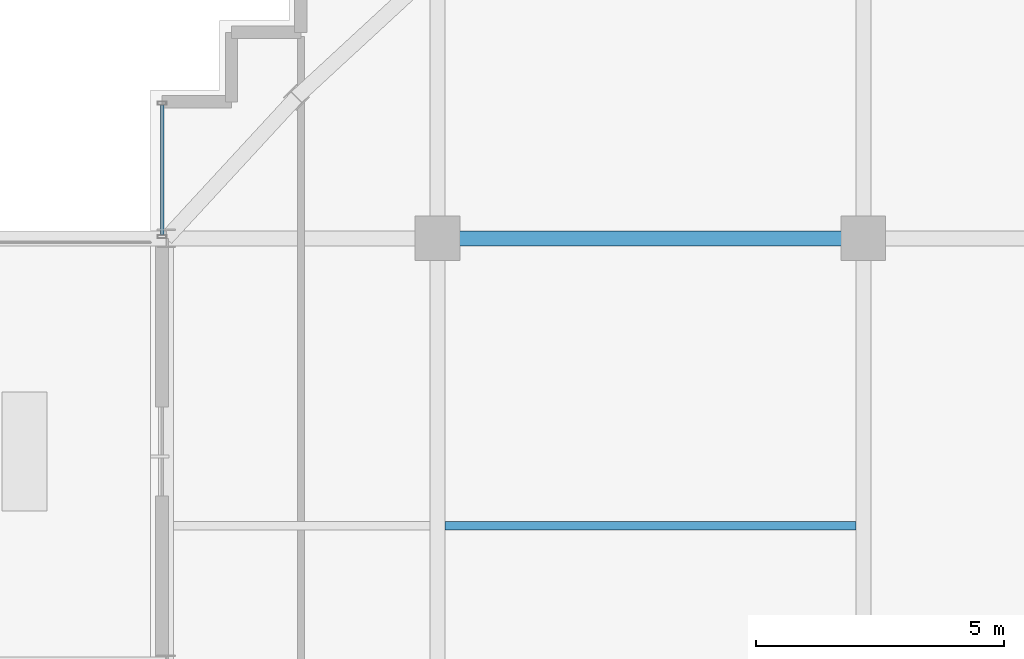
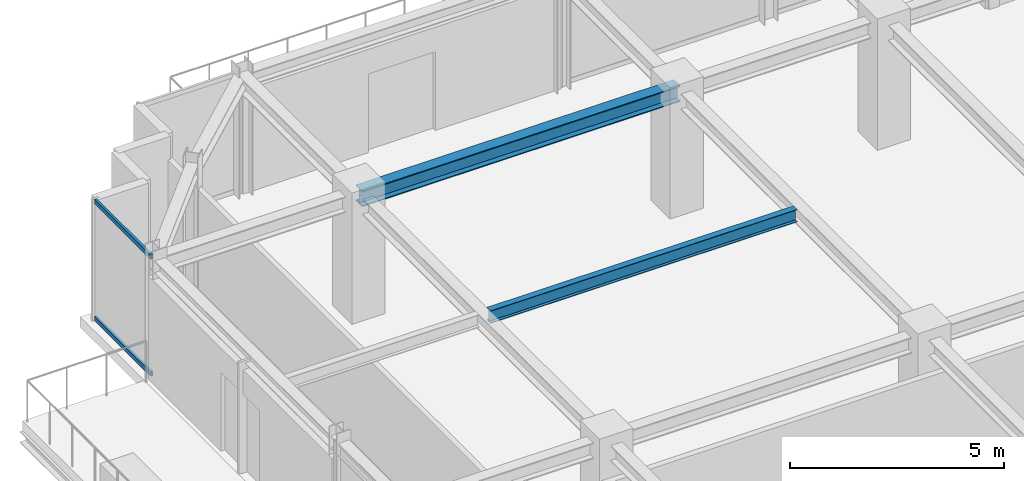
# One storey, part 18 of 34: 2 beams, 2 members, 1 element without a shape of its own.
"""IFC4 building model written with IfcOpenShell, lengths in metres."""

from ifc_helpers import new_model, si_unit, direction, frame, origin, origin_2d, place, context, subcontext, project, spatial, hollow_rectangle, i_section, extrude, source, transform, mapped, material, material_profile, profile_set, type_object, element, aggregate, save


model = new_model("IFC4")

# Units and contexts
model_context = context("Model", 3, precision=1e-05, world=origin(), true_north=direction((0.0, 1.0)))
body_context = subcontext(model_context, "Body", "Model", "MODEL_VIEW")
ifc_project = project(units=[si_unit("LENGTHUNIT", "METRE"), si_unit("AREAUNIT", "SQUARE_METRE"), si_unit("VOLUMEUNIT", "CUBIC_METRE"), si_unit("PLANEANGLEUNIT", "RADIAN"), si_unit("MASSUNIT", "GRAM", prefix="KILO")], contexts=[model_context])

# Site, building, storey
site_placement = place(None, origin())
site = spatial("IfcSite", under=ifc_project, at=site_placement, CompositionType="ELEMENT")
building_placement = place(site_placement, origin())
building = spatial("IfcBuilding", under=site, at=building_placement, Name="Nahalor Promenade Grand Hotel", CompositionType="ELEMENT")
storey_placement = place(building_placement, frame((0.0, 0.0, 334.75)))
storey = spatial("IfcBuildingStorey", under=building, at=storey_placement, Name="L86", CompositionType="ELEMENT", Elevation=334.75)

# Beams
ifc_material_1 = material(Name="Steel S355JR", Category="steel")
ifc_material_profile_1 = material_profile(ifc_material_1, i_section(OverallWidth=0.3, OverallDepth=0.45, WebThickness=0.014, FlangeThickness=0.026, at=origin_2d()), Name="HEB 450")
ifc_profile_set_1 = profile_set([ifc_material_profile_1], Name="Steel S355JR")
beam_type_1 = type_object("IfcBeamType", Name="Beam-Girder-HEB450", PredefinedType="BEAM", material=ifc_profile_set_1)
shared_shape_1 = source(origin(), body_context, "Body", "SweptSolid", [
    extrude(i_section(OverallWidth=0.3, OverallDepth=0.45, WebThickness=0.014, FlangeThickness=0.026, at=origin_2d()), origin(), (0.0, 0.0, 1.0), 8.60009765625),
])
beam_1_placement = place(storey_placement, frame((-17.0, 17.0, 3.2451171875), z_axis=(1.0, 0.0, 0.0), x_axis=(0.0, 1.0, 0.0)))
element("IfcBeam", 1, at=beam_1_placement, inside=storey, type_object=beam_type_1, Name="BM-L86-GX-3-1", PredefinedType="BEAM", context=body_context, shape_type="MappedRepresentation", body=[
    mapped(shared_shape_1, transform((0.0, 0.0, 0.0), scale=1.0)),
])
ifc_material_profile_2 = material_profile(ifc_material_1, i_section(OverallWidth=0.17, OverallDepth=0.36, WebThickness=0.008, FlangeThickness=0.0127, at=origin_2d()), Name="IPE 360")
ifc_profile_set_2 = profile_set([ifc_material_profile_2], Name="Steel S355JR")
beam_type_2 = type_object("IfcBeamType", Name="Beam-Joist-IPE360", PredefinedType="JOIST", material=ifc_profile_set_2)
shared_shape_2 = source(origin(), body_context, "Body", "SweptSolid", [
    extrude(i_section(OverallWidth=0.17, OverallDepth=0.36, WebThickness=0.008, FlangeThickness=0.0127, at=origin_2d()), origin(), (0.0, 0.0, 1.0), 8.300048828125),
])
beam_2_placement = place(storey_placement, frame((-16.85009765625, 11.199951171875, 3.2900390625), z_axis=(1.0, 0.0, 0.0), x_axis=(0.0, 1.0, 0.0)))
element("IfcBeam", 2, at=beam_2_placement, inside=storey, type_object=beam_type_2, Name="BM-L86-JSW-1-1", PredefinedType="JOIST", context=body_context, shape_type="MappedRepresentation", body=[
    mapped(shared_shape_2, transform((0.0, 0.0, 0.0), scale=1.0)),
])

# Curtain wall, members
ifc_material_2 = material(Name="Anodised Bronze Aluminium EN AW-6063 T6", Category="aluminium")
curtain_wall_type = type_object("IfcCurtainWallType", Name="CW2 Typical Hotel Flush Bronze Unitised Curtain Wall", PredefinedType="USERDEFINED", material=ifc_material_2)
curtain_wall_placement = place(storey_placement, origin())
curtain_wall = element("IfcCurtainWall", 3, at=curtain_wall_placement, inside=storey, type_object=curtain_wall_type, Name="L86 Curtain Wall CW-L86-W-3", ObjectType="UNITISED_CURTAIN_WALL", PredefinedType="USERDEFINED")
ifc_material_profile_3 = material_profile(ifc_material_2, hollow_rectangle(XDim=0.065, YDim=0.13, WallThickness=0.004, at=origin_2d()), Name="CWT 65x130x4")
ifc_profile_set_3 = profile_set([ifc_material_profile_3], Name="Anodised Bronze Aluminium EN AW-6063 T6")
member_type = type_object("IfcMemberType", Name="CWT2 Typical Bronze Transom 65x130", PredefinedType="USERDEFINED", material=ifc_profile_set_3)
shared_shape_3 = source(origin(), body_context, "Body", "SweptSolid", [
    extrude(hollow_rectangle(XDim=0.065, YDim=0.13, WallThickness=0.004, at=origin_2d()), origin(), (0.0, 0.0, 1.0), 2.630126953125),
])
member_1_placement = place(storey_placement, frame((-22.56005859375, 17.06494140625, 0.06494140625), z_axis=(0.0, 1.0, 0.0), x_axis=(-1.0, 0.0, 0.0)))
member_1 = element("IfcMember", 4, at=member_1_placement, type_object=member_type, Name="CW-L86-W-3 Transom 0-0", ObjectType="TRANSOM", PredefinedType="USERDEFINED", context=body_context, shape_type="MappedRepresentation", body=[
    mapped(shared_shape_3, transform((0.0, 0.0, 0.0), scale=1.0)),
])
member_2_placement = place(storey_placement, frame((-22.56005859375, 17.06494140625, 3.405029296875), z_axis=(0.0, 1.0, 0.0), x_axis=(-1.0, 0.0, 0.0)))
member_2 = element("IfcMember", 5, at=member_2_placement, type_object=member_type, Name="CW-L86-W-3 Transom 0-1", ObjectType="TRANSOM", PredefinedType="USERDEFINED", context=body_context, shape_type="MappedRepresentation", body=[
    mapped(shared_shape_3, transform((0.0, 0.0, 0.0), scale=1.0)),
])
aggregate(curtain_wall, [member_1, member_2])

save(model, "model.ifc")
